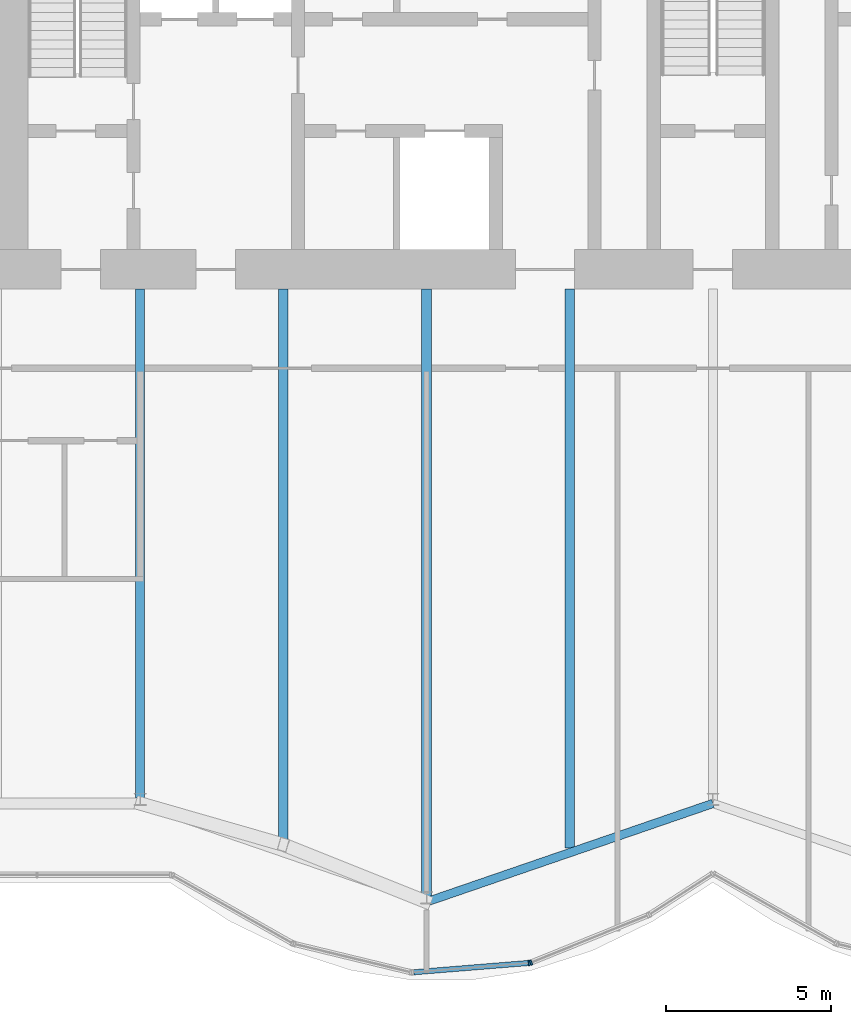
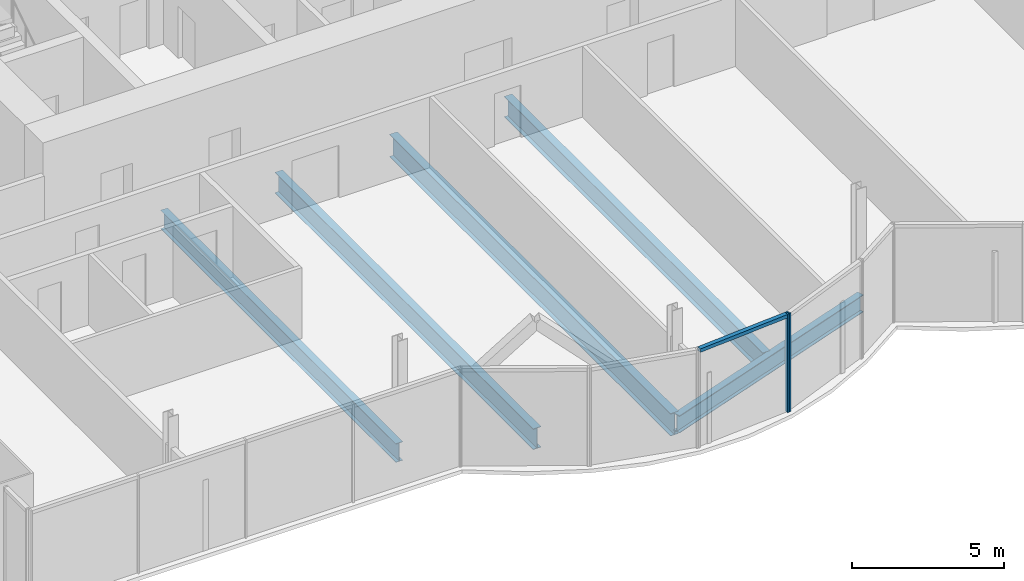
# One storey, part 6 of 20: 5 beams, 3 members, 1 element without a shape of its own.
"""IFC4 building model written with IfcOpenShell, lengths in metres."""

import ifcopenshell
import ifcopenshell.guid

model = None  # the IFC model being written
_history = None  # IfcOwnerHistory: only IFC2X3 demands one
_inside = {}  # id of a spatial element -> (the spatial element, [elements in it])
_under = {}  # id of a project, library or spatial element -> (it, [spatial elements below it])
_declared = {}  # id of a project -> (the project, [libraries it declares])
_typed = {}  # id of a type object -> (the type object, [elements of that type])
_made_of = {}  # id of a material, layer set ... -> (it, [elements and type objects made of it])


def new_model(schema):
    """Start an empty IFC model of exactly this schema.

    Asked for "IFC4X3", IfcOpenShell would pick the latest addendum, in which some entities
    have other attributes; the version numbers below select the first issue.
    IFC2X3 requires an IfcOwnerHistory on every rooted entity: one is made here for all.
    """
    global model, _history
    if schema == "IFC4X3":
        model = ifcopenshell.file(schema_version=(4, 3, 0, 0))
    else:
        model = ifcopenshell.file(schema=schema)
    _inside.clear()
    _under.clear()
    _declared.clear()
    _typed.clear()
    _made_of.clear()
    _history = None
    if model.schema == "IFC2X3":
        org = make("IfcOrganization", Name="unknown")
        user = make(
            "IfcPersonAndOrganization",
            ThePerson=make("IfcPerson", FamilyName="unknown"),
            TheOrganization=org,
        )
        app = make(
            "IfcApplication",
            ApplicationDeveloper=org,
            Version="unknown",
            ApplicationFullName="unknown",
            ApplicationIdentifier="unknown",
        )
        _history = make(
            "IfcOwnerHistory",
            OwningUser=user,
            OwningApplication=app,
            ChangeAction="ADDED",
            CreationDate=0,
        )
    return model


def make(cls, **values):
    """One entity of the class cls with the attributes given. An attribute that is None is left unset."""
    return model.create_entity(
        cls, **{name: value for name, value in values.items() if value is not None}
    )


def rooted(cls, **values):
    """An entity with a GlobalId (a new one), such as an element, a storey or a relation."""
    return make(cls, GlobalId=ifcopenshell.guid.new(), OwnerHistory=_history, **values)


def si_unit(unit_type, name, prefix=None):
    """IfcSIUnit, for example si_unit("LENGTHUNIT", "METRE", prefix="MILLI")."""
    return make("IfcSIUnit", UnitType=unit_type, Prefix=prefix, Name=name)


def assignment(units):
    """IfcUnitAssignment: the units of a project."""
    return None if units is None else make("IfcUnitAssignment", Units=units)


def point(xyz):
    """IfcCartesianPoint."""
    return None if xyz is None else make("IfcCartesianPoint", Coordinates=xyz)


def direction(xyz):
    """IfcDirection."""
    return None if xyz is None else make("IfcDirection", DirectionRatios=xyz)


def frame(location, z_axis=None, x_axis=None):
    """IfcAxis2Placement3D, a coordinate frame: its origin and axes. An axis left out is left unset."""
    return make(
        "IfcAxis2Placement3D",
        Location=point(location),
        Axis=direction(z_axis),
        RefDirection=direction(x_axis),
    )


def frame_2d(location, x_axis=None):
    """IfcAxis2Placement2D, a coordinate frame in the plane: its origin and x axis."""
    return make(
        "IfcAxis2Placement2D", Location=point(location), RefDirection=direction(x_axis)
    )


def origin():
    """The frame at (0, 0, 0) with its axes left unset."""
    return frame((0.0, 0.0, 0.0))


def origin_2d():
    """The frame at (0, 0) in the plane with its x axis left unset."""
    return frame_2d((0.0, 0.0))


def place(relative_to, where):
    """IfcLocalPlacement: puts the frame where relative to a parent placement (None: the world)."""
    return make(
        "IfcLocalPlacement", PlacementRelTo=relative_to, RelativePlacement=where
    )


def context(
    kind, dimensions, precision=None, world=None, true_north=None, identifier=None
):
    """IfcGeometricRepresentationContext, for example the 3D "Model" context."""
    return make(
        "IfcGeometricRepresentationContext",
        ContextIdentifier=identifier,
        ContextType=kind,
        CoordinateSpaceDimension=dimensions,
        Precision=precision,
        WorldCoordinateSystem=world,
        TrueNorth=true_north,
    )


def subcontext(parent, identifier, kind, view, scale=None):
    """IfcGeometricRepresentationSubContext, for example "Body" below "Model"."""
    return make(
        "IfcGeometricRepresentationSubContext",
        ContextIdentifier=identifier,
        ContextType=kind,
        ParentContext=parent,
        TargetScale=scale,
        TargetView=view,
    )


def project(units=None, contexts=None):
    """IfcProject with its units and contexts."""
    return rooted(
        "IfcProject",
        Name="project",
        RepresentationContexts=contexts,
        UnitsInContext=assignment(units),
    )


def spatial(cls, under=None, at=None, **own):
    """A site, building, storey or space (cls), placed at a placement, below another one or the project."""
    s = rooted(cls, ObjectPlacement=at, **own)
    if under is not None:
        _under.setdefault(under.id(), (under, []))[1].append(s)
    return s


def profile(cls, at=None, kind="AREA", **sizes):
    """A parametric profile (cls). Its sizes go by their IFC names, for example OverallWidth=200.0."""
    return make(cls, ProfileType=kind, Position=at, **sizes)


def rectangle(**sizes):
    """IfcRectangleProfileDef."""
    return profile("IfcRectangleProfileDef", **sizes)


def i_section(**sizes):
    """IfcIShapeProfileDef."""
    return profile("IfcIShapeProfileDef", **sizes)


def extrude(swept, where, along, depth):
    """IfcExtrudedAreaSolid: the profile swept, set in the frame where, extruded along a direction by depth."""
    return make(
        "IfcExtrudedAreaSolid",
        SweptArea=swept,
        Position=where,
        ExtrudedDirection=direction(along),
        Depth=depth,
    )


def shape(context_of_items, identifier, shape_type, items):
    """IfcShapeRepresentation: the items that make up one representation, for example the "Body"."""
    return make(
        "IfcShapeRepresentation",
        ContextOfItems=context_of_items,
        RepresentationIdentifier=identifier,
        RepresentationType=shape_type,
        Items=items,
    )


def material(Name=None, Category=None):
    """IfcMaterial."""
    return make("IfcMaterial", Name=Name, Category=Category)


def material_profile(
    of_material, cross_section, Name=None, Category=None, Priority=None
):
    """IfcMaterialProfile: a cross section and its material."""
    return make(
        "IfcMaterialProfile",
        Name=Name,
        Material=of_material,
        Profile=cross_section,
        Priority=Priority,
        Category=Category,
    )


def profile_set(profiles, Name=None, composite=None):
    """IfcMaterialProfileSet."""
    return make(
        "IfcMaterialProfileSet",
        Name=Name,
        MaterialProfiles=profiles,
        CompositeProfile=composite,
    )


def made_of(thing, what):
    """Note that an element or type object is made of a material, layer set ...; save() writes the relation."""
    if what is not None:
        _made_of.setdefault(what.id(), (what, []))[1].append(thing)
    return thing


def type_object(cls, material=None, **own):
    """A type object (cls), such as IfcWallType, which elements share."""
    return made_of(rooted(cls, **own), material)


def element(
    cls,
    number,
    at=None,
    inside=None,
    cuts=None,
    type_object=None,
    material=None,
    context=None,
    identifier="Body",
    shape_type=None,
    held_by="IfcProductDefinitionShape",
    body=None,
    shapes=None,
    **own,
):
    """One element of the class cls, such as IfcWall. Its Tag is "e" and its number.

    at: its placement. inside: the storey or other place that contains it. cuts: it is an
    opening in that element (IfcRelVoidsElement). A single representation is given by context,
    identifier, shape_type and body (its items); several are given by shapes. held_by: the class
    of the entity that holds the representations. save() writes the other relations.
    """
    e = rooted(cls, Tag="e%d" % number, ObjectPlacement=at, **own)
    if body is not None:
        shapes = [shape(context, identifier, shape_type, body)]
    if shapes is not None:
        e.Representation = make(held_by, Representations=shapes)
    if inside is not None:
        _inside.setdefault(inside.id(), (inside, []))[1].append(e)
    if cuts is not None:
        rooted(
            "IfcRelVoidsElement", RelatingBuildingElement=cuts, RelatedOpeningElement=e
        )
    if type_object is not None:
        _typed.setdefault(type_object.id(), (type_object, []))[1].append(e)
    return made_of(e, material)


def aggregate(whole, parts):
    """IfcRelAggregates: a whole, such as a stair, and the parts it consists of."""
    return rooted("IfcRelAggregates", RelatingObject=whole, RelatedObjects=parts)


def save(model, path):
    """Write the relations noted so far, then the file.

    IfcRelAggregates (storeys below a building ...), IfcRelContainedInSpatialStructure (elements
    in a storey), IfcRelDefinesByType, IfcRelAssociatesMaterial and IfcRelDeclares: one each for
    every whole, place, type object, material and project.
    """
    for whole, parts in _under.values():
        aggregate(whole, parts)
    for where, things in _inside.values():
        rooted(
            "IfcRelContainedInSpatialStructure",
            RelatedElements=things,
            RelatingStructure=where,
        )
    for kind, things in _typed.values():
        rooted("IfcRelDefinesByType", RelatedObjects=things, RelatingType=kind)
    for what, things in _made_of.values():
        rooted("IfcRelAssociatesMaterial", RelatedObjects=things, RelatingMaterial=what)
    for by, libraries in _declared.values():
        rooted("IfcRelDeclares", RelatingContext=by, RelatedDefinitions=libraries)
    model.write(path)


model = new_model("IFC4")

# Units and contexts
model_context = context("Model", 3, precision=1e-05, world=origin(), true_north=direction((0.0, 1.0)))
body_context = subcontext(model_context, "Body", "Model", "MODEL_VIEW")
ifc_project = project(units=[si_unit("LENGTHUNIT", "METRE"), si_unit("AREAUNIT", "SQUARE_METRE"), si_unit("VOLUMEUNIT", "CUBIC_METRE"), si_unit("PLANEANGLEUNIT", "RADIAN"), si_unit("MASSUNIT", "GRAM", prefix="KILO")], contexts=[model_context])

# Site, building, storey
site_placement = place(None, origin())
site = spatial("IfcSite", under=ifc_project, at=site_placement, CompositionType="ELEMENT")
building_placement = place(site_placement, origin())
building = spatial("IfcBuilding", under=site, at=building_placement, Name="Bicima Exchange Tower", CompositionType="ELEMENT")
storey_placement = place(building_placement, frame((0.0, 0.0, 227.800048828125)))
storey = spatial("IfcBuildingStorey", under=building, at=storey_placement, Name="L51", CompositionType="ELEMENT", Elevation=227.800048828125)

# Beams
ifc_material_1 = material(Name="Steel ASTM A992 Gr 50", Category="steel")
ifc_material_profile_1 = material_profile(ifc_material_1, i_section(OverallWidth=0.2666015625, OverallDepth=0.75439453125, WebThickness=0.01318359375, FlangeThickness=0.01708984375, at=origin_2d()))
ifc_profile_set_1 = profile_set([ifc_material_profile_1], Name="Steel ASTM A992 Gr 50")
beam_type_1 = type_object("IfcBeamType", Name="Floor beam W30x99", PredefinedType="JOIST", material=ifc_profile_set_1)
beam_1_placement = place(storey_placement, frame((-17.39990234375, -13.0, -0.52734375), z_axis=(0.0, -1.0, 0.0), x_axis=(1.0, 0.0, 0.0)))
element("IfcBeam", 1, at=beam_1_placement, inside=storey, type_object=beam_type_1, Name="Floor beam", PredefinedType="JOIST", context=body_context, shape_type="SweptSolid", body=[
    extrude(i_section(OverallWidth=0.2666015625, OverallDepth=0.75439453125, WebThickness=0.01318359375, FlangeThickness=0.01708984375, at=origin_2d()), origin(), (0.0, 0.0, 1.0), 15.45751953125),
])
ifc_material_profile_2 = material_profile(ifc_material_1, i_section(OverallWidth=0.2919921875, OverallDepth=0.835693359375, WebThickness=0.013916015625, FlangeThickness=0.018798828125, at=origin_2d()))
ifc_profile_set_2 = profile_set([ifc_material_profile_2], Name="Steel ASTM A992 Gr 50")
beam_type_2 = type_object("IfcBeamType", Name="Floor beam W33x118", PredefinedType="JOIST", material=ifc_profile_set_2)
for number, where, z_axis, x_axis, name in (
    (2, (-13.050048828125, -13.0, -0.56787109375), (0.0, -1.0, 0.0), (1.0, 0.0, 0.0), "Floor beam"),
    (3, (-4.35009765625, -13.0, -0.56787109375), (0.0, -1.0, 0.0), (1.0, 0.0, 0.0), "Floor beam"),
):
    element("IfcBeam", number, at=place(storey_placement, frame(where, z_axis=z_axis, x_axis=x_axis)), inside=storey, type_object=beam_type_2, Name=name, PredefinedType="JOIST", context=body_context, shape_type="SweptSolid", body=[
        extrude(i_section(OverallWidth=0.2919921875, OverallDepth=0.835693359375, WebThickness=0.013916015625, FlangeThickness=0.018798828125, at=origin_2d()), origin(), (0.0, 0.0, 1.0), 16.97998046875),
    ])
ifc_material_profile_3 = material_profile(ifc_material_1, i_section(OverallWidth=0.3046875, OverallDepth=0.904296875, WebThickness=0.01513671875, FlangeThickness=0.02001953125, at=origin_2d()))
ifc_profile_set_3 = profile_set([ifc_material_profile_3], Name="Steel ASTM A992 Gr 50")
beam_type_3 = type_object("IfcBeamType", Name="Floor beam W36x135", PredefinedType="JOIST", material=ifc_profile_set_3)
beam_2_placement = place(storey_placement, frame((-8.699951171875, -13.0, -0.60205078125), z_axis=(0.0, -1.0, 0.0), x_axis=(1.0, 0.0, 0.0)))
element("IfcBeam", 4, at=beam_2_placement, inside=storey, type_object=beam_type_3, Name="Floor beam", PredefinedType="JOIST", context=body_context, shape_type="SweptSolid", body=[
    extrude(i_section(OverallWidth=0.3046875, OverallDepth=0.904296875, WebThickness=0.01513671875, FlangeThickness=0.02001953125, at=origin_2d()), origin(), (0.0, 0.0, 1.0), 18.475341796875),
])
ifc_material_profile_4 = material_profile(ifc_material_1, i_section(OverallWidth=0.256591796875, OverallDepth=0.693359375, WebThickness=0.014404296875, FlangeThickness=0.023681640625, at=origin_2d()))
ifc_profile_set_4 = profile_set([ifc_material_profile_4], Name="Steel ASTM A992 Gr 50")
beam_type_4 = type_object("IfcBeamType", Name="Front girder W27x114", PredefinedType="BEAM", material=ifc_profile_set_4)
beam_3_placement = place(storey_placement, frame((-8.699951171875, -31.611083984375, -0.496826171875), z_axis=(0.945674616091, 0.32511462668, 0.0), x_axis=(-0.32511462668, 0.945674616091, 0.0)))
element("IfcBeam", 5, at=beam_3_placement, inside=storey, type_object=beam_type_4, Name="Front girder", PredefinedType="BEAM", context=body_context, shape_type="SweptSolid", body=[
    extrude(i_section(OverallWidth=0.256591796875, OverallDepth=0.693359375, WebThickness=0.014404296875, FlangeThickness=0.023681640625, at=origin_2d()), origin(), (0.0, 0.0, 1.0), 9.19970703125),
])

# Curtain wall, members
ifc_material_2 = material(Name="Anodised bronze aluminium", Category="aluminium")
curtain_wall_type = type_object("IfcCurtainWallType", Name="Front glass wall", PredefinedType="NOTDEFINED", material=ifc_material_2)
curtain_wall_placement = place(storey_placement, origin())
curtain_wall = element("IfcCurtainWall", 6, at=curtain_wall_placement, inside=storey, type_object=curtain_wall_type, Name="Front glass wall L51 run 6", PredefinedType="NOTDEFINED")
ifc_material_profile_5 = material_profile(ifc_material_2, rectangle(XDim=0.159912109375, YDim=0.06005859375, at=origin_2d()))
ifc_profile_set_5 = profile_set([ifc_material_profile_5], Name="Anodised bronze aluminium")
member_type_1 = type_object("IfcMemberType", Name="Front glass wall mullion 60 x 160", PredefinedType="MULLION", material=ifc_profile_set_5)
member_1_placement = place(storey_placement, frame((-5.583984375, -33.46484375, 0.0), z_axis=(0.0, 0.0, 1.0), x_axis=(-0.080588612633, 0.99674744821, 0.0)))
member_1 = element("IfcMember", 7, at=member_1_placement, type_object=member_type_1, Name="Front glass wall mullion 2", PredefinedType="MULLION", context=body_context, shape_type="SweptSolid", body=[
    extrude(rectangle(XDim=0.159912109375, YDim=0.06005859375, at=origin_2d()), origin(), (0.0, 0.0, 1.0), 3.949951171875),
])
member_2_placement = place(storey_placement, frame((-5.526123046875, -33.451171875, 0.0), z_axis=(0.0, 0.0, 1.0), x_axis=(-0.374705304, 0.92714396679, 0.0)))
member_2 = element("IfcMember", 8, at=member_2_placement, type_object=member_type_1, Name="Front glass wall mullion 1", PredefinedType="MULLION", context=body_context, shape_type="SweptSolid", body=[
    extrude(rectangle(XDim=0.159912109375, YDim=0.06005859375, at=origin_2d()), origin(), (0.0, 0.0, 1.0), 3.949951171875),
])
ifc_material_profile_6 = material_profile(ifc_material_2, rectangle(XDim=0.159912109375, YDim=0.139892578125, at=origin_2d()))
ifc_profile_set_6 = profile_set([ifc_material_profile_6], Name="Anodised bronze aluminium")
member_type_2 = type_object("IfcMemberType", Name="Front glass wall transom 140 x 160", PredefinedType="USERDEFINED", material=ifc_profile_set_6)
member_3_placement = place(storey_placement, frame((-9.08837890625, -33.748291015625, 3.8798828125), z_axis=(0.9967456465, 0.080610893699, 0.0), x_axis=(-0.080610893699, 0.9967456465, 0.0)))
member_3 = element("IfcMember", 9, at=member_3_placement, type_object=member_type_2, Name="Front glass wall transom 1.1", ObjectType="TRANSOM", PredefinedType="USERDEFINED", context=body_context, shape_type="SweptSolid", body=[
    extrude(rectangle(XDim=0.159912109375, YDim=0.139892578125, at=origin_2d()), origin(), (0.0, 0.0, 1.0), 3.48583984375),
])
aggregate(curtain_wall, [member_1, member_3, member_2])

save(model, "model.ifc")
